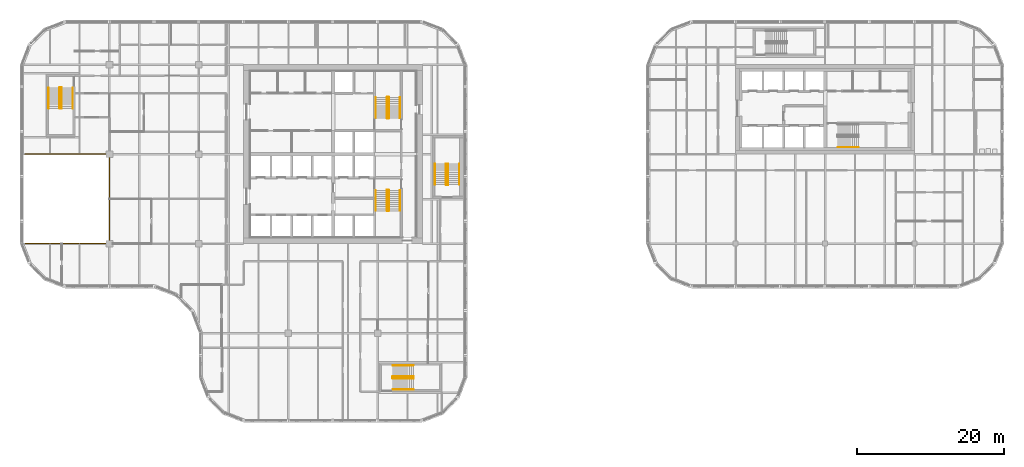
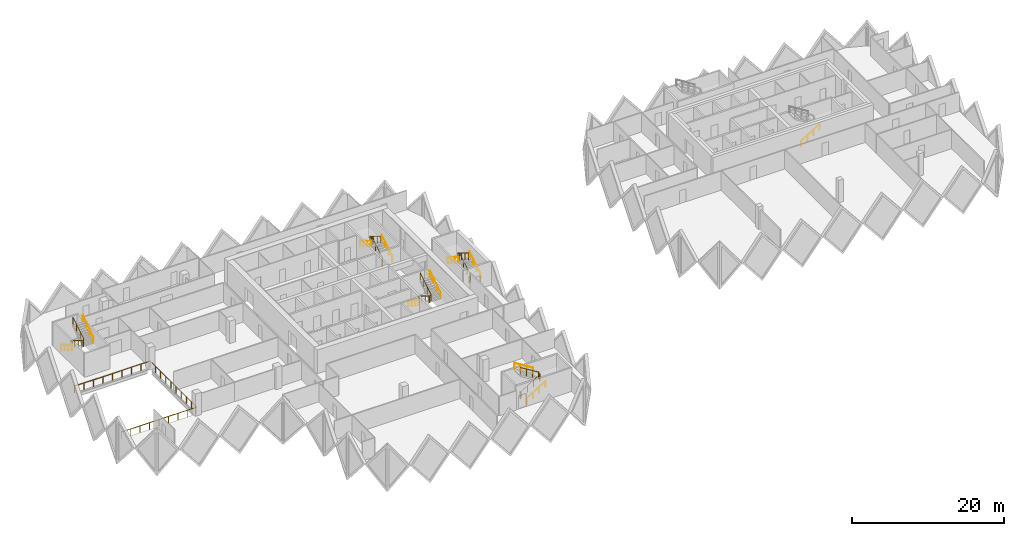
# One storey, part 17 of 19: 17 railings.
"""IFC4 building model written with IfcOpenShell, lengths in metres."""

from ifc_helpers import new_model, si_unit, direction, frame, origin, origin_2d, place, context, subcontext, project, spatial, circle, extrude, material, type_object, element, save


model = new_model("IFC4")

# Units and contexts
model_context = context("Model", 3, precision=1e-05, world=origin(), true_north=direction((0.0, 1.0)))
body_context = subcontext(model_context, "Body", "Model", "MODEL_VIEW")
ifc_project = project(units=[si_unit("LENGTHUNIT", "METRE"), si_unit("AREAUNIT", "SQUARE_METRE"), si_unit("VOLUMEUNIT", "CUBIC_METRE"), si_unit("PLANEANGLEUNIT", "RADIAN"), si_unit("MASSUNIT", "GRAM", prefix="KILO")], contexts=[model_context])

# Site, building, storey
site_placement = place(None, origin())
site = spatial("IfcSite", under=ifc_project, at=site_placement, CompositionType="ELEMENT")
building_placement = place(site_placement, origin())
building = spatial("IfcBuilding", under=site, at=building_placement, Name="Tessera Gate Towers", CompositionType="ELEMENT")
storey_placement = place(building_placement, frame((0.0, 0.0, 80.0)))
storey = spatial("IfcBuildingStorey", under=building, at=storey_placement, Name="L19", CompositionType="ELEMENT", Elevation=80.0)

# Railings
ifc_material_1 = material(Name="Toughened glass with stainless steel handrail", Category="steel")
railing_type_1 = type_object("IfcRailingType", Name="GUARD 1100 GLASS BALUSTRADE", PredefinedType="GUARDRAIL", material=ifc_material_1)
railing_1_placement = place(storey_placement, frame((0.750244140625, 24.39990234375, 0.0)))
element("IfcRailing", 1, at=railing_1_placement, inside=storey, type_object=railing_type_1, Name="Guard", PredefinedType="GUARDRAIL", context=body_context, shape_type="SweptSolid", body=[
    extrude(circle(Radius=0.02490234375, at=origin_2d()), frame((0.0, 0.0, 1.0751953125), z_axis=(1.0, 0.0, 0.0), x_axis=(0.0, 1.0, 0.0)), (0.0, 0.0, 1.0), 11.44970703125),
    extrude(circle(Radius=0.02490234375, at=origin_2d()), frame((11.44970703125, 0.0, 1.0751953125), z_axis=(0.0, 1.0, 0.0), x_axis=(-1.0, 0.0, 0.0)), (0.0, 0.0, 1.0), 12.2001953125),
    extrude(circle(Radius=0.02490234375, at=origin_2d()), frame((11.44970703125, 12.2001953125, 1.0751953125), z_axis=(-1.0, 0.0, 0.0), x_axis=(0.0, -1.0, 0.0)), (0.0, 0.0, 1.0), 11.5),
    extrude(circle(Radius=0.02490234375, at=origin_2d()), origin(), (0.0, 0.0, 1.0), 1.050048828125),
    extrude(circle(Radius=0.02490234375, at=origin_2d()), frame((1.43115234375, 0.0, 0.0)), (0.0, 0.0, 1.0), 1.050048828125),
    extrude(circle(Radius=0.02490234375, at=origin_2d()), frame((2.8623046875, 0.0, 0.0)), (0.0, 0.0, 1.0), 1.050048828125),
    extrude(circle(Radius=0.02490234375, at=origin_2d()), frame((4.293701171875, 0.0, 0.0)), (0.0, 0.0, 1.0), 1.050048828125),
    extrude(circle(Radius=0.02490234375, at=origin_2d()), frame((5.724853515625, 0.0, 0.0)), (0.0, 0.0, 1.0), 1.050048828125),
    extrude(circle(Radius=0.02490234375, at=origin_2d()), frame((7.156005859375, 0.0, 0.0)), (0.0, 0.0, 1.0), 1.050048828125),
    extrude(circle(Radius=0.02490234375, at=origin_2d()), frame((8.58740234375, 0.0, 0.0)), (0.0, 0.0, 1.0), 1.050048828125),
    extrude(circle(Radius=0.02490234375, at=origin_2d()), frame((10.0185546875, 0.0, 0.0)), (0.0, 0.0, 1.0), 1.050048828125),
    extrude(circle(Radius=0.02490234375, at=origin_2d()), frame((11.44970703125, 0.0, 0.0)), (0.0, 0.0, 1.0), 1.050048828125),
    extrude(circle(Radius=0.02490234375, at=origin_2d()), frame((11.44970703125, 1.35546875, 0.0)), (0.0, 0.0, 1.0), 1.050048828125),
    extrude(circle(Radius=0.02490234375, at=origin_2d()), frame((11.44970703125, 2.711181640625, 0.0)), (0.0, 0.0, 1.0), 1.050048828125),
    extrude(circle(Radius=0.02490234375, at=origin_2d()), frame((11.44970703125, 4.066650390625, 0.0)), (0.0, 0.0, 1.0), 1.050048828125),
    extrude(circle(Radius=0.02490234375, at=origin_2d()), frame((11.44970703125, 5.42236328125, 0.0)), (0.0, 0.0, 1.0), 1.050048828125),
    extrude(circle(Radius=0.02490234375, at=origin_2d()), frame((11.44970703125, 6.77783203125, 0.0)), (0.0, 0.0, 1.0), 1.050048828125),
    extrude(circle(Radius=0.02490234375, at=origin_2d()), frame((11.44970703125, 8.133544921875, 0.0)), (0.0, 0.0, 1.0), 1.050048828125),
    extrude(circle(Radius=0.02490234375, at=origin_2d()), frame((11.44970703125, 9.489013671875, 0.0)), (0.0, 0.0, 1.0), 1.050048828125),
    extrude(circle(Radius=0.02490234375, at=origin_2d()), frame((11.44970703125, 10.8447265625, 0.0)), (0.0, 0.0, 1.0), 1.050048828125),
    extrude(circle(Radius=0.02490234375, at=origin_2d()), frame((11.44970703125, 12.2001953125, 0.0)), (0.0, 0.0, 1.0), 1.050048828125),
    extrude(circle(Radius=0.02490234375, at=origin_2d()), frame((10.01220703125, 12.2001953125, 0.0)), (0.0, 0.0, 1.0), 1.050048828125),
    extrude(circle(Radius=0.02490234375, at=origin_2d()), frame((8.57470703125, 12.2001953125, 0.0)), (0.0, 0.0, 1.0), 1.050048828125),
    extrude(circle(Radius=0.02490234375, at=origin_2d()), frame((7.13720703125, 12.2001953125, 0.0)), (0.0, 0.0, 1.0), 1.050048828125),
    extrude(circle(Radius=0.02490234375, at=origin_2d()), frame((5.69970703125, 12.2001953125, 0.0)), (0.0, 0.0, 1.0), 1.050048828125),
    extrude(circle(Radius=0.02490234375, at=origin_2d()), frame((4.26220703125, 12.2001953125, 0.0)), (0.0, 0.0, 1.0), 1.050048828125),
    extrude(circle(Radius=0.02490234375, at=origin_2d()), frame((2.82470703125, 12.2001953125, 0.0)), (0.0, 0.0, 1.0), 1.050048828125),
    extrude(circle(Radius=0.02490234375, at=origin_2d()), frame((1.38720703125, 12.2001953125, 0.0)), (0.0, 0.0, 1.0), 1.050048828125),
    extrude(circle(Radius=0.02490234375, at=origin_2d()), frame((-0.05029296875, 12.2001953125, 0.0)), (0.0, 0.0, 1.0), 1.050048828125),
])
ifc_material_2 = material(Name="Steel 350W", Category="steel")
railing_type_2 = type_object("IfcRailingType", Name="STAIR GUARD 1100", PredefinedType="GUARDRAIL", material=ifc_material_2)
railing_2_placement = place(storey_placement, frame((50.27490234375, 31.72509765625, 0.0)))
element("IfcRailing", 2, at=railing_2_placement, inside=storey, type_object=railing_type_2, Name="L19 ST1 stair guard 1", PredefinedType="GUARDRAIL", context=body_context, shape_type="SweptSolid", body=[
    extrude(circle(Radius=0.02392578125, at=origin_2d()), frame((0.0, 0.0, 1.076171875), z_axis=(-1.0, 0.0, 0.0), x_axis=(0.0, -1.0, 0.0)), (0.0, 0.0, 1.0), 0.199951171875),
    extrude(circle(Radius=0.02392578125, at=origin_2d()), frame((-0.199951171875, 0.0, 1.076171875), z_axis=(-0.268277960024, -0.268277960024, 0.925231793839), x_axis=(0.707106781187, -0.707106781187, 0.0)), (0.0, 0.0, 1.0), 0.1865234375),
    extrude(circle(Radius=0.02392578125, at=origin_2d()), frame((-0.25, -0.050048828125, 1.24853515625), z_axis=(0.0, -0.851089632645, 0.525020415988), x_axis=(1.0, 0.0, 0.0)), (0.0, 0.0, 1.0), 3.2900390625),
    extrude(circle(Radius=0.02392578125, at=origin_2d()), frame((-0.25, -2.85009765625, 2.97607421875), z_axis=(0.707106781187, -0.707106781187, 0.0), x_axis=(0.707106781187, 0.707106781187, 0.0)), (0.0, 0.0, 1.0), 0.07080078125),
    extrude(circle(Radius=0.02392578125, at=origin_2d()), frame((-0.199951171875, -2.900146484375, 2.97607421875), z_axis=(1.0, 0.0, 0.0), x_axis=(0.0, 1.0, 0.0)), (0.0, 0.0, 1.0), 0.199951171875),
    extrude(circle(Radius=0.02392578125, at=origin_2d()), frame((0.0, -2.900146484375, 2.97607421875), z_axis=(0.267953482034, 0.267953482034, 0.925419830635), x_axis=(-0.707106781187, 0.707106781187, 0.0)), (0.0, 0.0, 1.0), 0.186767578125),
    extrude(circle(Radius=0.02392578125, at=origin_2d()), frame((0.050048828125, -2.85009765625, 3.14892578125), z_axis=(0.0, 0.851089632645, 0.525020415988), x_axis=(-1.0, 0.0, 0.0)), (0.0, 0.0, 1.0), 3.2900390625),
    extrude(circle(Radius=0.02099609375, at=origin_2d()), origin(), (0.0, 0.0, 1.0), 1.052001953125),
    extrude(circle(Radius=0.02099609375, at=origin_2d()), frame((-0.199951171875, 0.0, 0.0)), (0.0, 0.0, 1.0), 1.052001953125),
    extrude(circle(Radius=0.02099609375, at=origin_2d()), frame((-0.25, -0.050048828125, 0.172607421875)), (0.0, 0.0, 1.0), 1.052001953125),
    extrude(circle(Radius=0.02099609375, at=origin_2d()), frame((-0.25, -0.9833984375, 0.748291015625)), (0.0, 0.0, 1.0), 1.052001953125),
    extrude(circle(Radius=0.02099609375, at=origin_2d()), frame((-0.25, -1.916748046875, 1.32421875)), (0.0, 0.0, 1.0), 1.052001953125),
    extrude(circle(Radius=0.02099609375, at=origin_2d()), frame((-0.25, -2.85009765625, 1.89990234375)), (0.0, 0.0, 1.0), 1.052001953125),
    extrude(circle(Radius=0.02099609375, at=origin_2d()), frame((-0.199951171875, -2.900146484375, 1.89990234375)), (0.0, 0.0, 1.0), 1.052001953125),
    extrude(circle(Radius=0.02099609375, at=origin_2d()), frame((0.0, -2.900146484375, 1.89990234375)), (0.0, 0.0, 1.0), 1.052001953125),
    extrude(circle(Radius=0.02099609375, at=origin_2d()), frame((0.050048828125, -2.85009765625, 2.07275390625)), (0.0, 0.0, 1.0), 1.052001953125),
    extrude(circle(Radius=0.02099609375, at=origin_2d()), frame((0.050048828125, -1.916748046875, 2.6484375)), (0.0, 0.0, 1.0), 1.052001953125),
    extrude(circle(Radius=0.02099609375, at=origin_2d()), frame((0.050048828125, -0.9833984375, 3.224365234375)), (0.0, 0.0, 1.0), 1.052001953125),
    extrude(circle(Radius=0.02099609375, at=origin_2d()), frame((0.050048828125, -0.050048828125, 3.800048828125)), (0.0, 0.0, 1.0), 1.052001953125),
])
railing_3_placement = place(storey_placement, frame((50.074951171875, 41.47509765625, 0.0)))
element("IfcRailing", 3, at=railing_3_placement, inside=storey, type_object=railing_type_2, Name="L19 ST2 stair guard 1", PredefinedType="GUARDRAIL", context=body_context, shape_type="SweptSolid", body=[
    extrude(circle(Radius=0.02392578125, at=origin_2d()), frame((0.0, 0.0, 1.076171875), z_axis=(1.0, 0.0, 0.0), x_axis=(0.0, 1.0, 0.0)), (0.0, 0.0, 1.0), 0.199951171875),
    extrude(circle(Radius=0.02392578125, at=origin_2d()), frame((0.199951171875, 0.0, 1.076171875), z_axis=(0.268371968888, 0.267062837333, 0.925556009775), x_axis=(-0.705375805398, 0.708833529934, 0.0)), (0.0, 0.0, 1.0), 0.1865234375),
    extrude(circle(Radius=0.02392578125, at=origin_2d()), frame((0.25, 0.0498046875, 1.24853515625), z_axis=(0.0, 0.851089632645, 0.525020415988), x_axis=(-1.0, 0.0, 0.0)), (0.0, 0.0, 1.0), 3.2900390625),
    extrude(circle(Radius=0.02392578125, at=origin_2d()), frame((0.25, 2.849853515625, 2.97607421875), z_axis=(-0.707106781187, 0.707106781187, 0.0), x_axis=(-0.707106781187, -0.707106781187, 0.0)), (0.0, 0.0, 1.0), 0.07080078125),
    extrude(circle(Radius=0.02392578125, at=origin_2d()), frame((0.199951171875, 2.89990234375, 2.97607421875), z_axis=(-1.0, 0.0, 0.0), x_axis=(0.0, -1.0, 0.0)), (0.0, 0.0, 1.0), 0.199951171875),
    extrude(circle(Radius=0.02392578125, at=origin_2d()), frame((0.0, 2.89990234375, 2.97607421875), z_axis=(-0.267953482034, -0.267953482034, 0.925419830635), x_axis=(0.707106781187, -0.707106781187, 0.0)), (0.0, 0.0, 1.0), 0.186767578125),
    extrude(circle(Radius=0.02392578125, at=origin_2d()), frame((-0.050048828125, 2.849853515625, 3.14892578125), z_axis=(0.0, -0.851089632645, 0.525020415988), x_axis=(1.0, 0.0, 0.0)), (0.0, 0.0, 1.0), 3.2900390625),
    extrude(circle(Radius=0.02099609375, at=origin_2d()), origin(), (0.0, 0.0, 1.0), 1.052001953125),
    extrude(circle(Radius=0.02099609375, at=origin_2d()), frame((0.199951171875, 0.0, 0.0)), (0.0, 0.0, 1.0), 1.052001953125),
    extrude(circle(Radius=0.02099609375, at=origin_2d()), frame((0.25, 0.0498046875, 0.172607421875)), (0.0, 0.0, 1.0), 1.052001953125),
    extrude(circle(Radius=0.02099609375, at=origin_2d()), frame((0.25, 0.983154296875, 0.748291015625)), (0.0, 0.0, 1.0), 1.052001953125),
    extrude(circle(Radius=0.02099609375, at=origin_2d()), frame((0.25, 1.91650390625, 1.32421875)), (0.0, 0.0, 1.0), 1.052001953125),
    extrude(circle(Radius=0.02099609375, at=origin_2d()), frame((0.25, 2.849853515625, 1.89990234375)), (0.0, 0.0, 1.0), 1.052001953125),
    extrude(circle(Radius=0.02099609375, at=origin_2d()), frame((0.199951171875, 2.89990234375, 1.89990234375)), (0.0, 0.0, 1.0), 1.052001953125),
    extrude(circle(Radius=0.02099609375, at=origin_2d()), frame((0.0, 2.89990234375, 1.89990234375)), (0.0, 0.0, 1.0), 1.052001953125),
    extrude(circle(Radius=0.02099609375, at=origin_2d()), frame((-0.050048828125, 2.849853515625, 2.07275390625)), (0.0, 0.0, 1.0), 1.052001953125),
    extrude(circle(Radius=0.02099609375, at=origin_2d()), frame((-0.050048828125, 1.91650390625, 2.6484375)), (0.0, 0.0, 1.0), 1.052001953125),
    extrude(circle(Radius=0.02099609375, at=origin_2d()), frame((-0.050048828125, 0.983154296875, 3.224365234375)), (0.0, 0.0, 1.0), 1.052001953125),
    extrude(circle(Radius=0.02099609375, at=origin_2d()), frame((-0.050048828125, 0.0498046875, 3.800048828125)), (0.0, 0.0, 1.0), 1.052001953125),
])
railing_4_placement = place(storey_placement, frame((5.64990234375, 45.699951171875, 0.0)))
element("IfcRailing", 4, at=railing_4_placement, inside=storey, type_object=railing_type_2, Name="L19 ST3 stair guard 1", PredefinedType="GUARDRAIL", context=body_context, shape_type="SweptSolid", body=[
    extrude(circle(Radius=0.02392578125, at=origin_2d()), frame((0.0, 0.0, 1.076171875), z_axis=(-1.0, 0.0, 0.0), x_axis=(0.0, -1.0, 0.0)), (0.0, 0.0, 1.0), 0.199951171875),
    extrude(circle(Radius=0.02392578125, at=origin_2d()), frame((-0.199951171875, 0.0, 1.076171875), z_axis=(-0.268277960024, -0.268277960024, 0.925231793839), x_axis=(0.707106781187, -0.707106781187, 0.0)), (0.0, 0.0, 1.0), 0.1865234375),
    extrude(circle(Radius=0.02392578125, at=origin_2d()), frame((-0.25, -0.050048828125, 1.24853515625), z_axis=(0.0, -0.851069175582, 0.525053576669), x_axis=(1.0, 0.0, 0.0)), (0.0, 0.0, 1.0), 3.289794921875),
    extrude(circle(Radius=0.02392578125, at=origin_2d()), frame((-0.25, -2.849853515625, 2.97607421875), z_axis=(0.707106781187, -0.707106781187, 0.0), x_axis=(0.707106781187, 0.707106781187, 0.0)), (0.0, 0.0, 1.0), 0.07080078125),
    extrude(circle(Radius=0.02392578125, at=origin_2d()), frame((-0.199951171875, -2.89990234375, 2.97607421875), z_axis=(1.0, 0.0, 0.0), x_axis=(0.0, 1.0, 0.0)), (0.0, 0.0, 1.0), 0.199951171875),
    extrude(circle(Radius=0.02392578125, at=origin_2d()), frame((0.0, -2.89990234375, 2.97607421875), z_axis=(0.267953482034, 0.267953482034, 0.925419830635), x_axis=(-0.707106781187, 0.707106781187, 0.0)), (0.0, 0.0, 1.0), 0.186767578125),
    extrude(circle(Radius=0.02392578125, at=origin_2d()), frame((0.050048828125, -2.849853515625, 3.14892578125), z_axis=(0.0, 0.851069175582, 0.525053576669), x_axis=(-1.0, 0.0, 0.0)), (0.0, 0.0, 1.0), 3.289794921875),
    extrude(circle(Radius=0.02099609375, at=origin_2d()), origin(), (0.0, 0.0, 1.0), 1.052001953125),
    extrude(circle(Radius=0.02099609375, at=origin_2d()), frame((-0.199951171875, 0.0, 0.0)), (0.0, 0.0, 1.0), 1.052001953125),
    extrude(circle(Radius=0.02099609375, at=origin_2d()), frame((-0.25, -0.050048828125, 0.172607421875)), (0.0, 0.0, 1.0), 1.052001953125),
    extrude(circle(Radius=0.02099609375, at=origin_2d()), frame((-0.25, -0.9833984375, 0.748291015625)), (0.0, 0.0, 1.0), 1.052001953125),
    extrude(circle(Radius=0.02099609375, at=origin_2d()), frame((-0.25, -1.91650390625, 1.32421875)), (0.0, 0.0, 1.0), 1.052001953125),
    extrude(circle(Radius=0.02099609375, at=origin_2d()), frame((-0.25, -2.849853515625, 1.89990234375)), (0.0, 0.0, 1.0), 1.052001953125),
    extrude(circle(Radius=0.02099609375, at=origin_2d()), frame((-0.199951171875, -2.89990234375, 1.89990234375)), (0.0, 0.0, 1.0), 1.052001953125),
    extrude(circle(Radius=0.02099609375, at=origin_2d()), frame((0.0, -2.89990234375, 1.89990234375)), (0.0, 0.0, 1.0), 1.052001953125),
    extrude(circle(Radius=0.02099609375, at=origin_2d()), frame((0.050048828125, -2.849853515625, 2.07275390625)), (0.0, 0.0, 1.0), 1.052001953125),
    extrude(circle(Radius=0.02099609375, at=origin_2d()), frame((0.050048828125, -1.91650390625, 2.6484375)), (0.0, 0.0, 1.0), 1.052001953125),
    extrude(circle(Radius=0.02099609375, at=origin_2d()), frame((0.050048828125, -0.9833984375, 3.224365234375)), (0.0, 0.0, 1.0), 1.052001953125),
    extrude(circle(Radius=0.02099609375, at=origin_2d()), frame((0.050048828125, -0.050048828125, 3.800048828125)), (0.0, 0.0, 1.0), 1.052001953125),
])
railing_5_placement = place(storey_placement, frame((50.800048828125, 6.25, 0.0)))
element("IfcRailing", 5, at=railing_5_placement, inside=storey, type_object=railing_type_2, Name="L19 ST4 stair guard 1", PredefinedType="GUARDRAIL", context=body_context, shape_type="SweptSolid", body=[
    extrude(circle(Radius=0.02392578125, at=origin_2d()), frame((0.0, 0.0, 1.076171875), z_axis=(0.0, -1.0, 0.0), x_axis=(1.0, 0.0, 0.0)), (0.0, 0.0, 1.0), 0.199951171875),
    extrude(circle(Radius=0.02392578125, at=origin_2d()), frame((0.0, -0.199951171875, 1.076171875), z_axis=(0.268277960024, -0.268277960024, 0.925231793839), x_axis=(0.707106781187, 0.707106781187, 0.0)), (0.0, 0.0, 1.0), 0.1865234375),
    extrude(circle(Radius=0.02392578125, at=origin_2d()), frame((0.050048828125, -0.25, 1.24853515625), z_axis=(0.851069175582, 0.0, 0.525053576669), x_axis=(0.0, 1.0, 0.0)), (0.0, 0.0, 1.0), 3.289794921875),
    extrude(circle(Radius=0.02392578125, at=origin_2d()), frame((2.849853515625, -0.25, 2.97607421875), z_axis=(0.707106781187, 0.707106781187, 0.0), x_axis=(-0.707106781187, 0.707106781187, 0.0)), (0.0, 0.0, 1.0), 0.07080078125),
    extrude(circle(Radius=0.02392578125, at=origin_2d()), frame((2.89990234375, -0.199951171875, 2.97607421875), z_axis=(0.0, 1.0, 0.0), x_axis=(-1.0, 0.0, 0.0)), (0.0, 0.0, 1.0), 0.199951171875),
    extrude(circle(Radius=0.02392578125, at=origin_2d()), frame((2.89990234375, 0.0, 2.97607421875), z_axis=(-0.267953482034, 0.267953482034, 0.925419830635), x_axis=(-0.707106781187, -0.707106781187, 0.0)), (0.0, 0.0, 1.0), 0.186767578125),
    extrude(circle(Radius=0.02392578125, at=origin_2d()), frame((2.849853515625, 0.050048828125, 3.14892578125), z_axis=(-0.851069175582, 0.0, 0.525053576669), x_axis=(0.0, -1.0, 0.0)), (0.0, 0.0, 1.0), 3.289794921875),
    extrude(circle(Radius=0.02099609375, at=origin_2d()), origin(), (0.0, 0.0, 1.0), 1.052001953125),
    extrude(circle(Radius=0.02099609375, at=origin_2d()), frame((0.0, -0.199951171875, 0.0)), (0.0, 0.0, 1.0), 1.052001953125),
    extrude(circle(Radius=0.02099609375, at=origin_2d()), frame((0.050048828125, -0.25, 0.172607421875)), (0.0, 0.0, 1.0), 1.052001953125),
    extrude(circle(Radius=0.02099609375, at=origin_2d()), frame((0.9833984375, -0.25, 0.748291015625)), (0.0, 0.0, 1.0), 1.052001953125),
    extrude(circle(Radius=0.02099609375, at=origin_2d()), frame((1.91650390625, -0.25, 1.32421875)), (0.0, 0.0, 1.0), 1.052001953125),
    extrude(circle(Radius=0.02099609375, at=origin_2d()), frame((2.849853515625, -0.25, 1.89990234375)), (0.0, 0.0, 1.0), 1.052001953125),
    extrude(circle(Radius=0.02099609375, at=origin_2d()), frame((2.89990234375, -0.199951171875, 1.89990234375)), (0.0, 0.0, 1.0), 1.052001953125),
    extrude(circle(Radius=0.02099609375, at=origin_2d()), frame((2.89990234375, 0.0, 1.89990234375)), (0.0, 0.0, 1.0), 1.052001953125),
    extrude(circle(Radius=0.02099609375, at=origin_2d()), frame((2.849853515625, 0.050048828125, 2.07275390625)), (0.0, 0.0, 1.0), 1.052001953125),
    extrude(circle(Radius=0.02099609375, at=origin_2d()), frame((1.91650390625, 0.050048828125, 2.6484375)), (0.0, 0.0, 1.0), 1.052001953125),
    extrude(circle(Radius=0.02099609375, at=origin_2d()), frame((0.9833984375, 0.050048828125, 3.224365234375)), (0.0, 0.0, 1.0), 1.052001953125),
    extrude(circle(Radius=0.02099609375, at=origin_2d()), frame((0.050048828125, 0.050048828125, 3.800048828125)), (0.0, 0.0, 1.0), 1.052001953125),
])
railing_6_placement = place(storey_placement, frame((58.14990234375, 32.39990234375, 0.0)))
element("IfcRailing", 6, at=railing_6_placement, inside=storey, type_object=railing_type_2, Name="L19 ST5 stair guard 1", PredefinedType="GUARDRAIL", context=body_context, shape_type="SweptSolid", body=[
    extrude(circle(Radius=0.02392578125, at=origin_2d()), frame((0.0, 0.0, 1.076171875), z_axis=(1.0, 0.0, 0.0), x_axis=(0.0, 1.0, 0.0)), (0.0, 0.0, 1.0), 0.2001953125),
    extrude(circle(Radius=0.02392578125, at=origin_2d()), frame((0.2001953125, 0.0, 1.076171875), z_axis=(0.267062837333, 0.268371968888, 0.925556009775), x_axis=(-0.708833529934, 0.705375805398, 0.0)), (0.0, 0.0, 1.0), 0.1865234375),
    extrude(circle(Radius=0.02392578125, at=origin_2d()), frame((0.25, 0.050048828125, 1.24853515625), z_axis=(0.0, 0.851089632645, 0.525020415988), x_axis=(-1.0, 0.0, 0.0)), (0.0, 0.0, 1.0), 3.2900390625),
    extrude(circle(Radius=0.02392578125, at=origin_2d()), frame((0.25, 2.85009765625, 2.97607421875), z_axis=(-0.705375805398, 0.708833529934, 0.0), x_axis=(-0.708833529934, -0.705375805398, 0.0)), (0.0, 0.0, 1.0), 0.070556640625),
    extrude(circle(Radius=0.02392578125, at=origin_2d()), frame((0.2001953125, 2.900146484375, 2.97607421875), z_axis=(-1.0, 0.0, 0.0), x_axis=(0.0, -1.0, 0.0)), (0.0, 0.0, 1.0), 0.2001953125),
    extrude(circle(Radius=0.02392578125, at=origin_2d()), frame((0.0, 2.900146484375, 2.97607421875), z_axis=(-0.266739603011, -0.268047150085, 0.925743328097), x_axis=(0.708833529934, -0.705375805398, 0.0)), (0.0, 0.0, 1.0), 0.186767578125),
    extrude(circle(Radius=0.02392578125, at=origin_2d()), frame((-0.0498046875, 2.85009765625, 3.14892578125), z_axis=(0.0, -0.851089632645, 0.525020415988), x_axis=(1.0, 0.0, 0.0)), (0.0, 0.0, 1.0), 3.2900390625),
    extrude(circle(Radius=0.02099609375, at=origin_2d()), origin(), (0.0, 0.0, 1.0), 1.052001953125),
    extrude(circle(Radius=0.02099609375, at=origin_2d()), frame((0.2001953125, 0.0, 0.0)), (0.0, 0.0, 1.0), 1.052001953125),
    extrude(circle(Radius=0.02099609375, at=origin_2d()), frame((0.25, 0.050048828125, 0.172607421875)), (0.0, 0.0, 1.0), 1.052001953125),
    extrude(circle(Radius=0.02099609375, at=origin_2d()), frame((0.25, 0.9833984375, 0.748291015625)), (0.0, 0.0, 1.0), 1.052001953125),
    extrude(circle(Radius=0.02099609375, at=origin_2d()), frame((0.25, 1.916748046875, 1.32421875)), (0.0, 0.0, 1.0), 1.052001953125),
    extrude(circle(Radius=0.02099609375, at=origin_2d()), frame((0.25, 2.85009765625, 1.89990234375)), (0.0, 0.0, 1.0), 1.052001953125),
    extrude(circle(Radius=0.02099609375, at=origin_2d()), frame((0.2001953125, 2.900146484375, 1.89990234375)), (0.0, 0.0, 1.0), 1.052001953125),
    extrude(circle(Radius=0.02099609375, at=origin_2d()), frame((0.0, 2.900146484375, 1.89990234375)), (0.0, 0.0, 1.0), 1.052001953125),
    extrude(circle(Radius=0.02099609375, at=origin_2d()), frame((-0.0498046875, 2.85009765625, 2.07275390625)), (0.0, 0.0, 1.0), 1.052001953125),
    extrude(circle(Radius=0.02099609375, at=origin_2d()), frame((-0.0498046875, 1.916748046875, 2.6484375)), (0.0, 0.0, 1.0), 1.052001953125),
    extrude(circle(Radius=0.02099609375, at=origin_2d()), frame((-0.0498046875, 0.9833984375, 3.224365234375)), (0.0, 0.0, 1.0), 1.052001953125),
    extrude(circle(Radius=0.02099609375, at=origin_2d()), frame((-0.0498046875, 0.050048828125, 3.800048828125)), (0.0, 0.0, 1.0), 1.052001953125),
])
ifc_material_3 = material(Name="Steel 350W", Category="steel")
railing_type_3 = type_object("IfcRailingType", Name="STAIR HANDRAIL 900", PredefinedType="HANDRAIL", material=ifc_material_3)
railing_7_placement = place(storey_placement, frame((48.52490234375, 31.675048828125, 0.172607421875)))
element("IfcRailing", 7, at=railing_7_placement, inside=storey, type_object=railing_type_3, Name="L19 ST1 stair handrail 1", PredefinedType="HANDRAIL", context=body_context, shape_type="SweptSolid", body=[
    extrude(circle(Radius=0.02392578125, at=origin_2d()), frame((0.0, 0.0, 0.8759765625), z_axis=(0.0, -0.851089632645, 0.525020415988), x_axis=(1.0, 0.0, 0.0)), (0.0, 0.0, 1.0), 3.2900390625),
    extrude(circle(Radius=0.02099609375, at=origin_2d()), origin(), (0.0, 0.0, 1.0), 0.851806640625),
    extrude(circle(Radius=0.02099609375, at=origin_2d()), frame((0.0, -0.933349609375, 0.57568359375)), (0.0, 0.0, 1.0), 0.851806640625),
    extrude(circle(Radius=0.02099609375, at=origin_2d()), frame((0.0, -1.86669921875, 1.151611328125)), (0.0, 0.0, 1.0), 0.851806640625),
    extrude(circle(Radius=0.02099609375, at=origin_2d()), frame((0.0, -2.800048828125, 1.727294921875)), (0.0, 0.0, 1.0), 0.851806640625),
])
for number, where, name in (
    (8, (51.824951171875, 28.875, 2.07275390625), "L19 ST1 stair handrail 2"),
    (9, (51.824951171875, 41.52490234375, 0.172607421875), "L19 ST2 stair handrail 1"),
):
    element("IfcRailing", number, at=place(storey_placement, frame(where)), inside=storey, type_object=railing_type_3, Name=name, PredefinedType="HANDRAIL", context=body_context, shape_type="SweptSolid", body=[
        extrude(circle(Radius=0.02392578125, at=origin_2d()), frame((0.0, 0.0, 0.8759765625), z_axis=(0.0, 0.851089632645, 0.525020415988), x_axis=(-1.0, 0.0, 0.0)), (0.0, 0.0, 1.0), 3.2900390625),
        extrude(circle(Radius=0.02099609375, at=origin_2d()), origin(), (0.0, 0.0, 1.0), 0.851806640625),
        extrude(circle(Radius=0.02099609375, at=origin_2d()), frame((0.0, 0.933349609375, 0.57568359375)), (0.0, 0.0, 1.0), 0.851806640625),
        extrude(circle(Radius=0.02099609375, at=origin_2d()), frame((0.0, 1.86669921875, 1.151611328125)), (0.0, 0.0, 1.0), 0.851806640625),
        extrude(circle(Radius=0.02099609375, at=origin_2d()), frame((0.0, 2.800048828125, 1.727294921875)), (0.0, 0.0, 1.0), 0.851806640625),
    ])
railing_8_placement = place(storey_placement, frame((48.52490234375, 44.324951171875, 2.07275390625)))
element("IfcRailing", 10, at=railing_8_placement, inside=storey, type_object=railing_type_3, Name="L19 ST2 stair handrail 2", PredefinedType="HANDRAIL", context=body_context, shape_type="SweptSolid", body=[
    extrude(circle(Radius=0.02392578125, at=origin_2d()), frame((0.0, 0.0, 0.8759765625), z_axis=(0.0, -0.851089632645, 0.525020415988), x_axis=(1.0, 0.0, 0.0)), (0.0, 0.0, 1.0), 3.2900390625),
    extrude(circle(Radius=0.02099609375, at=origin_2d()), origin(), (0.0, 0.0, 1.0), 0.851806640625),
    extrude(circle(Radius=0.02099609375, at=origin_2d()), frame((0.0, -0.933349609375, 0.57568359375)), (0.0, 0.0, 1.0), 0.851806640625),
    extrude(circle(Radius=0.02099609375, at=origin_2d()), frame((0.0, -1.86669921875, 1.151611328125)), (0.0, 0.0, 1.0), 0.851806640625),
    extrude(circle(Radius=0.02099609375, at=origin_2d()), frame((0.0, -2.800048828125, 1.727294921875)), (0.0, 0.0, 1.0), 0.851806640625),
])
railing_9_placement = place(storey_placement, frame((3.89990234375, 45.64990234375, 0.172607421875)))
element("IfcRailing", 11, at=railing_9_placement, inside=storey, type_object=railing_type_3, Name="L19 ST3 stair handrail 1", PredefinedType="HANDRAIL", context=body_context, shape_type="SweptSolid", body=[
    extrude(circle(Radius=0.02392578125, at=origin_2d()), frame((0.0, 0.0, 0.8759765625), z_axis=(0.0, -0.851069175582, 0.525053576669), x_axis=(1.0, 0.0, 0.0)), (0.0, 0.0, 1.0), 3.289794921875),
    extrude(circle(Radius=0.02099609375, at=origin_2d()), origin(), (0.0, 0.0, 1.0), 0.851806640625),
    extrude(circle(Radius=0.02099609375, at=origin_2d()), frame((0.0, -0.933349609375, 0.57568359375)), (0.0, 0.0, 1.0), 0.851806640625),
    extrude(circle(Radius=0.02099609375, at=origin_2d()), frame((0.0, -1.866455078125, 1.151611328125)), (0.0, 0.0, 1.0), 0.851806640625),
    extrude(circle(Radius=0.02099609375, at=origin_2d()), frame((0.0, -2.7998046875, 1.727294921875)), (0.0, 0.0, 1.0), 0.851806640625),
])
railing_10_placement = place(storey_placement, frame((7.199951171875, 42.85009765625, 2.07275390625)))
element("IfcRailing", 12, at=railing_10_placement, inside=storey, type_object=railing_type_3, Name="L19 ST3 stair handrail 2", PredefinedType="HANDRAIL", context=body_context, shape_type="SweptSolid", body=[
    extrude(circle(Radius=0.02392578125, at=origin_2d()), frame((0.0, 0.0, 0.8759765625), z_axis=(0.0, 0.851069175582, 0.525053576669), x_axis=(-1.0, 0.0, 0.0)), (0.0, 0.0, 1.0), 3.289794921875),
    extrude(circle(Radius=0.02099609375, at=origin_2d()), origin(), (0.0, 0.0, 1.0), 0.851806640625),
    extrude(circle(Radius=0.02099609375, at=origin_2d()), frame((0.0, 0.933349609375, 0.57568359375)), (0.0, 0.0, 1.0), 0.851806640625),
    extrude(circle(Radius=0.02099609375, at=origin_2d()), frame((0.0, 1.866455078125, 1.151611328125)), (0.0, 0.0, 1.0), 0.851806640625),
    extrude(circle(Radius=0.02099609375, at=origin_2d()), frame((0.0, 2.7998046875, 1.727294921875)), (0.0, 0.0, 1.0), 0.851806640625),
])
railing_11_placement = place(storey_placement, frame((50.85009765625, 4.5, 0.172607421875)))
element("IfcRailing", 13, at=railing_11_placement, inside=storey, type_object=railing_type_3, Name="L19 ST4 stair handrail 1", PredefinedType="HANDRAIL", context=body_context, shape_type="SweptSolid", body=[
    extrude(circle(Radius=0.02392578125, at=origin_2d()), frame((0.0, 0.0, 0.8759765625), z_axis=(0.851069175582, 0.0, 0.525053576669), x_axis=(0.0, 1.0, 0.0)), (0.0, 0.0, 1.0), 3.289794921875),
    extrude(circle(Radius=0.02099609375, at=origin_2d()), origin(), (0.0, 0.0, 1.0), 0.851806640625),
    extrude(circle(Radius=0.02099609375, at=origin_2d()), frame((0.933349609375, 0.0, 0.57568359375)), (0.0, 0.0, 1.0), 0.851806640625),
    extrude(circle(Radius=0.02099609375, at=origin_2d()), frame((1.866455078125, 0.0, 1.151611328125)), (0.0, 0.0, 1.0), 0.851806640625),
    extrude(circle(Radius=0.02099609375, at=origin_2d()), frame((2.7998046875, 0.0, 1.727294921875)), (0.0, 0.0, 1.0), 0.851806640625),
])
railing_12_placement = place(storey_placement, frame((53.64990234375, 7.800048828125, 2.07275390625)))
element("IfcRailing", 14, at=railing_12_placement, inside=storey, type_object=railing_type_3, Name="L19 ST4 stair handrail 2", PredefinedType="HANDRAIL", context=body_context, shape_type="SweptSolid", body=[
    extrude(circle(Radius=0.02392578125, at=origin_2d()), frame((0.0, 0.0, 0.8759765625), z_axis=(-0.851069175582, 0.0, 0.525053576669), x_axis=(0.0, -1.0, 0.0)), (0.0, 0.0, 1.0), 3.289794921875),
    extrude(circle(Radius=0.02099609375, at=origin_2d()), origin(), (0.0, 0.0, 1.0), 0.851806640625),
    extrude(circle(Radius=0.02099609375, at=origin_2d()), frame((-0.933349609375, 0.0, 0.57568359375)), (0.0, 0.0, 1.0), 0.851806640625),
    extrude(circle(Radius=0.02099609375, at=origin_2d()), frame((-1.866455078125, 0.0, 1.151611328125)), (0.0, 0.0, 1.0), 0.851806640625),
    extrude(circle(Radius=0.02099609375, at=origin_2d()), frame((-2.7998046875, 0.0, 1.727294921875)), (0.0, 0.0, 1.0), 0.851806640625),
])
railing_13_placement = place(storey_placement, frame((59.89990234375, 32.449951171875, 0.172607421875)))
element("IfcRailing", 15, at=railing_13_placement, inside=storey, type_object=railing_type_3, Name="L19 ST5 stair handrail 1", PredefinedType="HANDRAIL", context=body_context, shape_type="SweptSolid", body=[
    extrude(circle(Radius=0.02392578125, at=origin_2d()), frame((0.0, 0.0, 0.8759765625), z_axis=(0.0, 0.851089632645, 0.525020415988), x_axis=(-1.0, 0.0, 0.0)), (0.0, 0.0, 1.0), 3.2900390625),
    extrude(circle(Radius=0.02099609375, at=origin_2d()), origin(), (0.0, 0.0, 1.0), 0.851806640625),
    extrude(circle(Radius=0.02099609375, at=origin_2d()), frame((0.0, 0.933349609375, 0.57568359375)), (0.0, 0.0, 1.0), 0.851806640625),
    extrude(circle(Radius=0.02099609375, at=origin_2d()), frame((0.0, 1.86669921875, 1.151611328125)), (0.0, 0.0, 1.0), 0.851806640625),
    extrude(circle(Radius=0.02099609375, at=origin_2d()), frame((0.0, 2.800048828125, 1.727294921875)), (0.0, 0.0, 1.0), 0.851806640625),
])
railing_14_placement = place(storey_placement, frame((56.60009765625, 35.25, 2.07275390625)))
element("IfcRailing", 16, at=railing_14_placement, inside=storey, type_object=railing_type_3, Name="L19 ST5 stair handrail 2", PredefinedType="HANDRAIL", context=body_context, shape_type="SweptSolid", body=[
    extrude(circle(Radius=0.02392578125, at=origin_2d()), frame((0.0, 0.0, 0.8759765625), z_axis=(0.0, -0.851089632645, 0.525020415988), x_axis=(1.0, 0.0, 0.0)), (0.0, 0.0, 1.0), 3.2900390625),
    extrude(circle(Radius=0.02099609375, at=origin_2d()), origin(), (0.0, 0.0, 1.0), 0.851806640625),
    extrude(circle(Radius=0.02099609375, at=origin_2d()), frame((0.0, -0.933349609375, 0.57568359375)), (0.0, 0.0, 1.0), 0.851806640625),
    extrude(circle(Radius=0.02099609375, at=origin_2d()), frame((0.0, -1.86669921875, 1.151611328125)), (0.0, 0.0, 1.0), 0.851806640625),
    extrude(circle(Radius=0.02099609375, at=origin_2d()), frame((0.0, -2.800048828125, 1.727294921875)), (0.0, 0.0, 1.0), 0.851806640625),
])
railing_15_placement = place(storey_placement, frame((111.550048828125, 37.550048828125, 0.172607421875)))
element("IfcRailing", 17, at=railing_15_placement, inside=storey, type_object=railing_type_3, Name="L19 ST6 stair handrail 1", PredefinedType="HANDRAIL", context=body_context, shape_type="SweptSolid", body=[
    extrude(circle(Radius=0.02392578125, at=origin_2d()), frame((0.0, 0.0, 0.8759765625), z_axis=(0.851089632645, 0.0, 0.525020415988), x_axis=(0.0, 1.0, 0.0)), (0.0, 0.0, 1.0), 3.2900390625),
    extrude(circle(Radius=0.02099609375, at=origin_2d()), origin(), (0.0, 0.0, 1.0), 0.851806640625),
    extrude(circle(Radius=0.02099609375, at=origin_2d()), frame((0.933349609375, 0.0, 0.57568359375)), (0.0, 0.0, 1.0), 0.851806640625),
    extrude(circle(Radius=0.02099609375, at=origin_2d()), frame((1.86669921875, 0.0, 1.151611328125)), (0.0, 0.0, 1.0), 0.851806640625),
    extrude(circle(Radius=0.02099609375, at=origin_2d()), frame((2.800048828125, 0.0, 1.727294921875)), (0.0, 0.0, 1.0), 0.851806640625),
])

save(model, "model.ifc")
